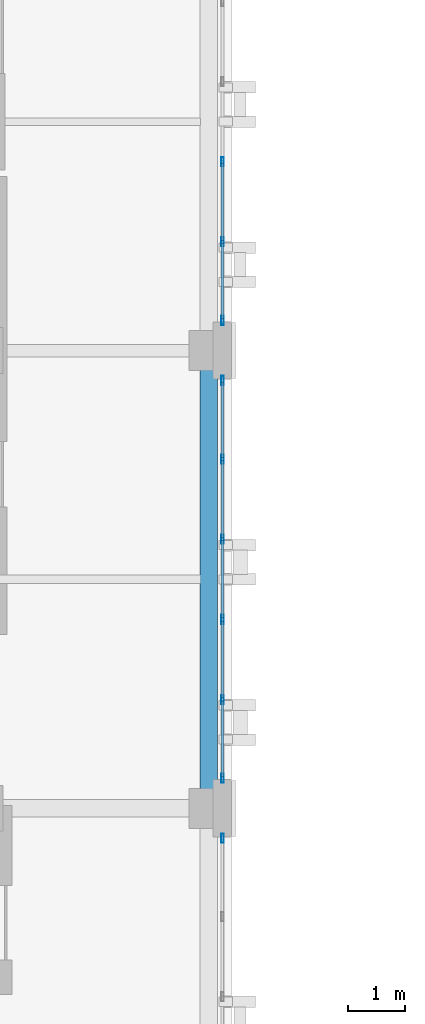
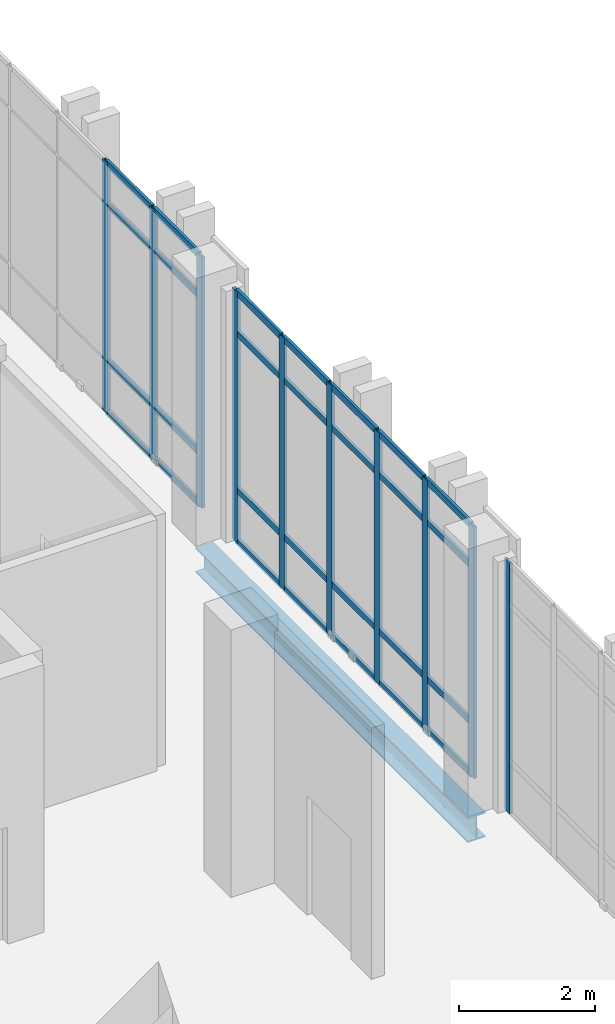
# One storey, part 29 of 189: 38 members, 1 beam, 3 elements without a shape of their own.
"""IFC4 building model written with IfcOpenShell, lengths in metres."""

from ifc_helpers import new_model, si_unit, direction, frame, origin, origin_2d, place, context, subcontext, project, spatial, hollow_rectangle, i_section, extrude, material, layer, layer_set, material_profile, profile_set, type_object, element, aggregate, save


model = new_model("IFC4")

# Units and contexts
model_context = context("Model", 3, precision=1e-05, world=origin(), true_north=direction((0.0, 1.0)))
body_context = subcontext(model_context, "Body", "Model", "MODEL_VIEW")
ifc_project = project(units=[si_unit("LENGTHUNIT", "METRE"), si_unit("AREAUNIT", "SQUARE_METRE"), si_unit("VOLUMEUNIT", "CUBIC_METRE"), si_unit("PLANEANGLEUNIT", "RADIAN"), si_unit("MASSUNIT", "GRAM", prefix="KILO")], contexts=[model_context])

# Site, building, storey
site_placement = place(None, origin())
site = spatial("IfcSite", under=ifc_project, at=site_placement, CompositionType="ELEMENT")
building_placement = place(site_placement, origin())
building = spatial("IfcBuilding", under=site, at=building_placement, Name="Qalavern Law Courts", CompositionType="ELEMENT")
storey_placement = place(building_placement, frame((0.0, 0.0, 5.39990234375)))
storey = spatial("IfcBuildingStorey", under=building, at=storey_placement, Name="L01", CompositionType="ELEMENT", Elevation=5.39990234375)

# Curtain wall, member
ifc_material_1 = material(Name="Anodised aluminium and insulated glazing", Category="aluminium")
ifc_layer = layer(ifc_material_1, 0.172119140625)
ifc_layer_set = layer_set([ifc_layer], Name="Anodised aluminium and insulated glazing")
curtain_wall_type = type_object("IfcCurtainWallType", Name="ENV-CW-COURT", PredefinedType="USERDEFINED", material=ifc_layer_set)
curtain_wall_1_placement = place(storey_placement, origin())
curtain_wall_1 = element("IfcCurtainWall", 1, at=curtain_wall_1_placement, inside=storey, type_object=curtain_wall_type, Name="V3 unitised curtain wall L01 east 1", ObjectType="UNITISED CURTAIN WALL", PredefinedType="USERDEFINED")
ifc_material_2 = material(Name="Anodised aluminium", Category="aluminium")
ifc_material_profile_1 = material_profile(ifc_material_2, hollow_rectangle(XDim=0.048095703125, YDim=0.159912109375, WallThickness=0.00390625, at=origin_2d()), Name="ALU MULLION 48x160")
ifc_profile_set_1 = profile_set([ifc_material_profile_1], Name="Anodised aluminium")
member_type_1 = type_object("IfcMemberType", Name="ENV-CWM-48x160", PredefinedType="MULLION", material=ifc_profile_set_1)
member_1_placement = place(storey_placement, frame((18.637451171875, 48.8759765625, 0.0), z_axis=(0.0, 0.0, 1.0), x_axis=(-1.0, 0.0, 0.0)))
member_1 = element("IfcMember", 2, at=member_1_placement, type_object=member_type_1, Name="CW-03 mullion 6", PredefinedType="MULLION", context=body_context, shape_type="SweptSolid", body=[
    extrude(hollow_rectangle(XDim=0.048095703125, YDim=0.159912109375, WallThickness=0.00390625, at=origin_2d()), origin(), (0.0, 0.0, 1.0), 4.510009765625),
])
aggregate(curtain_wall_1, [member_1])

# Curtain wall, members
curtain_wall_2_placement = place(storey_placement, origin())
curtain_wall_2 = element("IfcCurtainWall", 3, at=curtain_wall_2_placement, inside=storey, type_object=curtain_wall_type, Name="V3 unitised curtain wall L01 east 2", ObjectType="UNITISED CURTAIN WALL", PredefinedType="USERDEFINED")
member_2_placement = place(storey_placement, frame((18.637451171875, 49.924072265625, 0.0), z_axis=(0.0, 0.0, 1.0), x_axis=(-1.0, 0.0, 0.0)))
member_2 = element("IfcMember", 4, at=member_2_placement, type_object=member_type_1, Name="CW-03 mullion 1", PredefinedType="MULLION", context=body_context, shape_type="SweptSolid", body=[
    extrude(hollow_rectangle(XDim=0.048095703125, YDim=0.159912109375, WallThickness=0.00390625, at=origin_2d()), origin(), (0.0, 0.0, 1.0), 4.510009765625),
])
member_3_placement = place(storey_placement, frame((18.637451171875, 51.300048828125, 0.0), z_axis=(0.0, 0.0, 1.0), x_axis=(-1.0, 0.0, 0.0)))
member_3 = element("IfcMember", 5, at=member_3_placement, type_object=member_type_1, Name="CW-03 mullion 2", PredefinedType="MULLION", context=body_context, shape_type="SweptSolid", body=[
    extrude(hollow_rectangle(XDim=0.048095703125, YDim=0.159912109375, WallThickness=0.00390625, at=origin_2d()), origin(), (0.0, 0.0, 1.0), 4.510009765625),
])
member_4_placement = place(storey_placement, frame((18.637451171875, 52.699951171875, 0.0), z_axis=(0.0, 0.0, 1.0), x_axis=(-1.0, 0.0, 0.0)))
member_4 = element("IfcMember", 6, at=member_4_placement, type_object=member_type_1, Name="CW-03 mullion 3", PredefinedType="MULLION", context=body_context, shape_type="SweptSolid", body=[
    extrude(hollow_rectangle(XDim=0.048095703125, YDim=0.159912109375, WallThickness=0.00390625, at=origin_2d()), origin(), (0.0, 0.0, 1.0), 4.510009765625),
])
member_5_placement = place(storey_placement, frame((18.637451171875, 54.10009765625, 0.0), z_axis=(0.0, 0.0, 1.0), x_axis=(-1.0, 0.0, 0.0)))
member_5 = element("IfcMember", 7, at=member_5_placement, type_object=member_type_1, Name="CW-03 mullion 4", PredefinedType="MULLION", context=body_context, shape_type="SweptSolid", body=[
    extrude(hollow_rectangle(XDim=0.048095703125, YDim=0.159912109375, WallThickness=0.00390625, at=origin_2d()), origin(), (0.0, 0.0, 1.0), 4.510009765625),
])
member_6_placement = place(storey_placement, frame((18.637451171875, 55.5, 0.0), z_axis=(0.0, 0.0, 1.0), x_axis=(-1.0, 0.0, 0.0)))
member_6 = element("IfcMember", 8, at=member_6_placement, type_object=member_type_1, Name="CW-03 mullion 5", PredefinedType="MULLION", context=body_context, shape_type="SweptSolid", body=[
    extrude(hollow_rectangle(XDim=0.048095703125, YDim=0.159912109375, WallThickness=0.00390625, at=origin_2d()), origin(), (0.0, 0.0, 1.0), 4.510009765625),
])
member_7_placement = place(storey_placement, frame((18.637451171875, 56.8759765625, 0.0), z_axis=(0.0, 0.0, 1.0), x_axis=(-1.0, 0.0, 0.0)))
member_7 = element("IfcMember", 9, at=member_7_placement, type_object=member_type_1, Name="CW-03 mullion 6", PredefinedType="MULLION", context=body_context, shape_type="SweptSolid", body=[
    extrude(hollow_rectangle(XDim=0.048095703125, YDim=0.159912109375, WallThickness=0.00390625, at=origin_2d()), origin(), (0.0, 0.0, 1.0), 4.510009765625),
])

curtain_wall_3_placement = place(storey_placement, origin())
curtain_wall_3 = element("IfcCurtainWall", 10, at=curtain_wall_3_placement, inside=storey, type_object=curtain_wall_type, Name="V3 unitised curtain wall L01 east 3", ObjectType="UNITISED CURTAIN WALL", PredefinedType="USERDEFINED")
member_8_placement = place(storey_placement, frame((18.637451171875, 57.924072265625, 0.0), z_axis=(0.0, 0.0, 1.0), x_axis=(-1.0, 0.0, 0.0)))
member_8 = element("IfcMember", 11, at=member_8_placement, type_object=member_type_1, Name="CW-03 mullion 1", PredefinedType="MULLION", context=body_context, shape_type="SweptSolid", body=[
    extrude(hollow_rectangle(XDim=0.048095703125, YDim=0.159912109375, WallThickness=0.00390625, at=origin_2d()), origin(), (0.0, 0.0, 1.0), 4.510009765625),
])
member_9_placement = place(storey_placement, frame((18.637451171875, 59.300048828125, 0.0), z_axis=(0.0, 0.0, 1.0), x_axis=(-1.0, 0.0, 0.0)))
member_9 = element("IfcMember", 12, at=member_9_placement, type_object=member_type_1, Name="CW-03 mullion 2", PredefinedType="MULLION", context=body_context, shape_type="SweptSolid", body=[
    extrude(hollow_rectangle(XDim=0.048095703125, YDim=0.159912109375, WallThickness=0.00390625, at=origin_2d()), origin(), (0.0, 0.0, 1.0), 4.510009765625),
])
member_10_placement = place(storey_placement, frame((18.637451171875, 60.699951171875, 0.0), z_axis=(0.0, 0.0, 1.0), x_axis=(-1.0, 0.0, 0.0)))
member_10 = element("IfcMember", 13, at=member_10_placement, type_object=member_type_1, Name="CW-03 mullion 3", PredefinedType="MULLION", context=body_context, shape_type="SweptSolid", body=[
    extrude(hollow_rectangle(XDim=0.048095703125, YDim=0.159912109375, WallThickness=0.00390625, at=origin_2d()), origin(), (0.0, 0.0, 1.0), 4.510009765625),
])

# Member
ifc_material_profile_2 = material_profile(ifc_material_2, hollow_rectangle(XDim=0.048095703125, YDim=0.1201171875, WallThickness=0.00390625, at=origin_2d()), Name="ALU TRANSOM 48x120")
ifc_profile_set_2 = profile_set([ifc_material_profile_2], Name="Anodised aluminium")
member_type_2 = type_object("IfcMemberType", Name="ENV-CWT-48x120", PredefinedType="USERDEFINED", material=ifc_profile_set_2)
member_11_placement = place(storey_placement, frame((18.637451171875, 49.947998046875, 0.024169921875), z_axis=(0.0, 1.0, 0.0), x_axis=(-1.0, 0.0, 0.0)))
member_11 = element("IfcMember", 14, at=member_11_placement, type_object=member_type_2, Name="CW-03 transom 1.1", ObjectType="TRANSOM", PredefinedType="USERDEFINED", context=body_context, shape_type="SweptSolid", body=[
    extrude(hollow_rectangle(XDim=0.048095703125, YDim=0.1201171875, WallThickness=0.00390625, at=origin_2d()), origin(), (0.0, 0.0, 1.0), 1.327880859375),
])

member_12_placement = place(storey_placement, frame((18.637451171875, 49.947998046875, 0.9501953125), z_axis=(0.0, 1.0, 0.0), x_axis=(-1.0, 0.0, 0.0)))
member_12 = element("IfcMember", 15, at=member_12_placement, type_object=member_type_2, Name="CW-03 transom 1.2", ObjectType="TRANSOM", PredefinedType="USERDEFINED", context=body_context, shape_type="SweptSolid", body=[
    extrude(hollow_rectangle(XDim=0.048095703125, YDim=0.1201171875, WallThickness=0.00390625, at=origin_2d()), origin(), (0.0, 0.0, 1.0), 1.327880859375),
])

member_13_placement = place(storey_placement, frame((18.637451171875, 49.947998046875, 3.760009765625), z_axis=(0.0, 1.0, 0.0), x_axis=(-1.0, 0.0, 0.0)))
member_13 = element("IfcMember", 16, at=member_13_placement, type_object=member_type_2, Name="CW-03 transom 1.3", ObjectType="TRANSOM", PredefinedType="USERDEFINED", context=body_context, shape_type="SweptSolid", body=[
    extrude(hollow_rectangle(XDim=0.048095703125, YDim=0.1201171875, WallThickness=0.00390625, at=origin_2d()), origin(), (0.0, 0.0, 1.0), 1.327880859375),
])

member_14_placement = place(storey_placement, frame((18.637451171875, 49.947998046875, 4.486083984375), z_axis=(0.0, 1.0, 0.0), x_axis=(-1.0, 0.0, 0.0)))
member_14 = element("IfcMember", 17, at=member_14_placement, type_object=member_type_2, Name="CW-03 transom 1.4", ObjectType="TRANSOM", PredefinedType="USERDEFINED", context=body_context, shape_type="SweptSolid", body=[
    extrude(hollow_rectangle(XDim=0.048095703125, YDim=0.1201171875, WallThickness=0.00390625, at=origin_2d()), origin(), (0.0, 0.0, 1.0), 1.327880859375),
])

member_15_placement = place(storey_placement, frame((18.637451171875, 51.323974609375, 0.024169921875), z_axis=(0.0, 1.0, 0.0), x_axis=(-1.0, 0.0, 0.0)))
member_15 = element("IfcMember", 18, at=member_15_placement, type_object=member_type_2, Name="CW-03 transom 2.1", ObjectType="TRANSOM", PredefinedType="USERDEFINED", context=body_context, shape_type="SweptSolid", body=[
    extrude(hollow_rectangle(XDim=0.048095703125, YDim=0.1201171875, WallThickness=0.00390625, at=origin_2d()), origin(), (0.0, 0.0, 1.0), 1.35205078125),
])

member_16_placement = place(storey_placement, frame((18.637451171875, 51.323974609375, 0.9501953125), z_axis=(0.0, 1.0, 0.0), x_axis=(-1.0, 0.0, 0.0)))
member_16 = element("IfcMember", 19, at=member_16_placement, type_object=member_type_2, Name="CW-03 transom 2.2", ObjectType="TRANSOM", PredefinedType="USERDEFINED", context=body_context, shape_type="SweptSolid", body=[
    extrude(hollow_rectangle(XDim=0.048095703125, YDim=0.1201171875, WallThickness=0.00390625, at=origin_2d()), origin(), (0.0, 0.0, 1.0), 1.35205078125),
])

member_17_placement = place(storey_placement, frame((18.637451171875, 51.323974609375, 3.760009765625), z_axis=(0.0, 1.0, 0.0), x_axis=(-1.0, 0.0, 0.0)))
member_17 = element("IfcMember", 20, at=member_17_placement, type_object=member_type_2, Name="CW-03 transom 2.3", ObjectType="TRANSOM", PredefinedType="USERDEFINED", context=body_context, shape_type="SweptSolid", body=[
    extrude(hollow_rectangle(XDim=0.048095703125, YDim=0.1201171875, WallThickness=0.00390625, at=origin_2d()), origin(), (0.0, 0.0, 1.0), 1.35205078125),
])

member_18_placement = place(storey_placement, frame((18.637451171875, 51.323974609375, 4.486083984375), z_axis=(0.0, 1.0, 0.0), x_axis=(-1.0, 0.0, 0.0)))
member_18 = element("IfcMember", 21, at=member_18_placement, type_object=member_type_2, Name="CW-03 transom 2.4", ObjectType="TRANSOM", PredefinedType="USERDEFINED", context=body_context, shape_type="SweptSolid", body=[
    extrude(hollow_rectangle(XDim=0.048095703125, YDim=0.1201171875, WallThickness=0.00390625, at=origin_2d()), origin(), (0.0, 0.0, 1.0), 1.35205078125),
])

member_19_placement = place(storey_placement, frame((18.637451171875, 52.72412109375, 0.024169921875), z_axis=(0.0, 1.0, 0.0), x_axis=(-1.0, 0.0, 0.0)))
member_19 = element("IfcMember", 22, at=member_19_placement, type_object=member_type_2, Name="CW-03 transom 3.1", ObjectType="TRANSOM", PredefinedType="USERDEFINED", context=body_context, shape_type="SweptSolid", body=[
    extrude(hollow_rectangle(XDim=0.048095703125, YDim=0.1201171875, WallThickness=0.00390625, at=origin_2d()), origin(), (0.0, 0.0, 1.0), 1.351806640625),
])

member_20_placement = place(storey_placement, frame((18.637451171875, 52.72412109375, 0.9501953125), z_axis=(0.0, 1.0, 0.0), x_axis=(-1.0, 0.0, 0.0)))
member_20 = element("IfcMember", 23, at=member_20_placement, type_object=member_type_2, Name="CW-03 transom 3.2", ObjectType="TRANSOM", PredefinedType="USERDEFINED", context=body_context, shape_type="SweptSolid", body=[
    extrude(hollow_rectangle(XDim=0.048095703125, YDim=0.1201171875, WallThickness=0.00390625, at=origin_2d()), origin(), (0.0, 0.0, 1.0), 1.351806640625),
])

member_21_placement = place(storey_placement, frame((18.637451171875, 52.72412109375, 3.760009765625), z_axis=(0.0, 1.0, 0.0), x_axis=(-1.0, 0.0, 0.0)))
member_21 = element("IfcMember", 24, at=member_21_placement, type_object=member_type_2, Name="CW-03 transom 3.3", ObjectType="TRANSOM", PredefinedType="USERDEFINED", context=body_context, shape_type="SweptSolid", body=[
    extrude(hollow_rectangle(XDim=0.048095703125, YDim=0.1201171875, WallThickness=0.00390625, at=origin_2d()), origin(), (0.0, 0.0, 1.0), 1.351806640625),
])

member_22_placement = place(storey_placement, frame((18.637451171875, 52.72412109375, 4.486083984375), z_axis=(0.0, 1.0, 0.0), x_axis=(-1.0, 0.0, 0.0)))
member_22 = element("IfcMember", 25, at=member_22_placement, type_object=member_type_2, Name="CW-03 transom 3.4", ObjectType="TRANSOM", PredefinedType="USERDEFINED", context=body_context, shape_type="SweptSolid", body=[
    extrude(hollow_rectangle(XDim=0.048095703125, YDim=0.1201171875, WallThickness=0.00390625, at=origin_2d()), origin(), (0.0, 0.0, 1.0), 1.351806640625),
])

member_23_placement = place(storey_placement, frame((18.637451171875, 54.1240234375, 0.024169921875), z_axis=(0.0, 1.0, 0.0), x_axis=(-1.0, 0.0, 0.0)))
member_23 = element("IfcMember", 26, at=member_23_placement, type_object=member_type_2, Name="CW-03 transom 4.1", ObjectType="TRANSOM", PredefinedType="USERDEFINED", context=body_context, shape_type="SweptSolid", body=[
    extrude(hollow_rectangle(XDim=0.048095703125, YDim=0.1201171875, WallThickness=0.00390625, at=origin_2d()), origin(), (0.0, 0.0, 1.0), 1.35205078125),
])

member_24_placement = place(storey_placement, frame((18.637451171875, 54.1240234375, 0.9501953125), z_axis=(0.0, 1.0, 0.0), x_axis=(-1.0, 0.0, 0.0)))
member_24 = element("IfcMember", 27, at=member_24_placement, type_object=member_type_2, Name="CW-03 transom 4.2", ObjectType="TRANSOM", PredefinedType="USERDEFINED", context=body_context, shape_type="SweptSolid", body=[
    extrude(hollow_rectangle(XDim=0.048095703125, YDim=0.1201171875, WallThickness=0.00390625, at=origin_2d()), origin(), (0.0, 0.0, 1.0), 1.35205078125),
])

member_25_placement = place(storey_placement, frame((18.637451171875, 54.1240234375, 3.760009765625), z_axis=(0.0, 1.0, 0.0), x_axis=(-1.0, 0.0, 0.0)))
member_25 = element("IfcMember", 28, at=member_25_placement, type_object=member_type_2, Name="CW-03 transom 4.3", ObjectType="TRANSOM", PredefinedType="USERDEFINED", context=body_context, shape_type="SweptSolid", body=[
    extrude(hollow_rectangle(XDim=0.048095703125, YDim=0.1201171875, WallThickness=0.00390625, at=origin_2d()), origin(), (0.0, 0.0, 1.0), 1.35205078125),
])

member_26_placement = place(storey_placement, frame((18.637451171875, 54.1240234375, 4.486083984375), z_axis=(0.0, 1.0, 0.0), x_axis=(-1.0, 0.0, 0.0)))
member_26 = element("IfcMember", 29, at=member_26_placement, type_object=member_type_2, Name="CW-03 transom 4.4", ObjectType="TRANSOM", PredefinedType="USERDEFINED", context=body_context, shape_type="SweptSolid", body=[
    extrude(hollow_rectangle(XDim=0.048095703125, YDim=0.1201171875, WallThickness=0.00390625, at=origin_2d()), origin(), (0.0, 0.0, 1.0), 1.35205078125),
])

member_27_placement = place(storey_placement, frame((18.637451171875, 55.52392578125, 0.024169921875), z_axis=(0.0, 1.0, 0.0), x_axis=(-1.0, 0.0, 0.0)))
member_27 = element("IfcMember", 30, at=member_27_placement, type_object=member_type_2, Name="CW-03 transom 5.1", ObjectType="TRANSOM", PredefinedType="USERDEFINED", context=body_context, shape_type="SweptSolid", body=[
    extrude(hollow_rectangle(XDim=0.048095703125, YDim=0.1201171875, WallThickness=0.00390625, at=origin_2d()), origin(), (0.0, 0.0, 1.0), 1.328125),
])

member_28_placement = place(storey_placement, frame((18.637451171875, 55.52392578125, 0.9501953125), z_axis=(0.0, 1.0, 0.0), x_axis=(-1.0, 0.0, 0.0)))
member_28 = element("IfcMember", 31, at=member_28_placement, type_object=member_type_2, Name="CW-03 transom 5.2", ObjectType="TRANSOM", PredefinedType="USERDEFINED", context=body_context, shape_type="SweptSolid", body=[
    extrude(hollow_rectangle(XDim=0.048095703125, YDim=0.1201171875, WallThickness=0.00390625, at=origin_2d()), origin(), (0.0, 0.0, 1.0), 1.328125),
])

member_29_placement = place(storey_placement, frame((18.637451171875, 55.52392578125, 3.760009765625), z_axis=(0.0, 1.0, 0.0), x_axis=(-1.0, 0.0, 0.0)))
member_29 = element("IfcMember", 32, at=member_29_placement, type_object=member_type_2, Name="CW-03 transom 5.3", ObjectType="TRANSOM", PredefinedType="USERDEFINED", context=body_context, shape_type="SweptSolid", body=[
    extrude(hollow_rectangle(XDim=0.048095703125, YDim=0.1201171875, WallThickness=0.00390625, at=origin_2d()), origin(), (0.0, 0.0, 1.0), 1.328125),
])

member_30_placement = place(storey_placement, frame((18.637451171875, 55.52392578125, 4.486083984375), z_axis=(0.0, 1.0, 0.0), x_axis=(-1.0, 0.0, 0.0)))
member_30 = element("IfcMember", 33, at=member_30_placement, type_object=member_type_2, Name="CW-03 transom 5.4", ObjectType="TRANSOM", PredefinedType="USERDEFINED", context=body_context, shape_type="SweptSolid", body=[
    extrude(hollow_rectangle(XDim=0.048095703125, YDim=0.1201171875, WallThickness=0.00390625, at=origin_2d()), origin(), (0.0, 0.0, 1.0), 1.328125),
])

aggregate(curtain_wall_2, [member_2, member_3, member_4, member_5, member_6, member_7, member_11, member_12, member_13, member_14, member_15, member_16, member_17, member_18, member_19, member_20, member_21, member_22, member_23, member_24, member_25, member_26, member_27, member_28, member_29, member_30])

member_31_placement = place(storey_placement, frame((18.637451171875, 57.947998046875, 0.024169921875), z_axis=(0.0, 1.0, 0.0), x_axis=(-1.0, 0.0, 0.0)))
member_31 = element("IfcMember", 34, at=member_31_placement, type_object=member_type_2, Name="CW-03 transom 1.1", ObjectType="TRANSOM", PredefinedType="USERDEFINED", context=body_context, shape_type="SweptSolid", body=[
    extrude(hollow_rectangle(XDim=0.048095703125, YDim=0.1201171875, WallThickness=0.00390625, at=origin_2d()), origin(), (0.0, 0.0, 1.0), 1.327880859375),
])

member_32_placement = place(storey_placement, frame((18.637451171875, 57.947998046875, 0.9501953125), z_axis=(0.0, 1.0, 0.0), x_axis=(-1.0, 0.0, 0.0)))
member_32 = element("IfcMember", 35, at=member_32_placement, type_object=member_type_2, Name="CW-03 transom 1.2", ObjectType="TRANSOM", PredefinedType="USERDEFINED", context=body_context, shape_type="SweptSolid", body=[
    extrude(hollow_rectangle(XDim=0.048095703125, YDim=0.1201171875, WallThickness=0.00390625, at=origin_2d()), origin(), (0.0, 0.0, 1.0), 1.327880859375),
])

member_33_placement = place(storey_placement, frame((18.637451171875, 57.947998046875, 3.760009765625), z_axis=(0.0, 1.0, 0.0), x_axis=(-1.0, 0.0, 0.0)))
member_33 = element("IfcMember", 36, at=member_33_placement, type_object=member_type_2, Name="CW-03 transom 1.3", ObjectType="TRANSOM", PredefinedType="USERDEFINED", context=body_context, shape_type="SweptSolid", body=[
    extrude(hollow_rectangle(XDim=0.048095703125, YDim=0.1201171875, WallThickness=0.00390625, at=origin_2d()), origin(), (0.0, 0.0, 1.0), 1.327880859375),
])

member_34_placement = place(storey_placement, frame((18.637451171875, 57.947998046875, 4.486083984375), z_axis=(0.0, 1.0, 0.0), x_axis=(-1.0, 0.0, 0.0)))
member_34 = element("IfcMember", 37, at=member_34_placement, type_object=member_type_2, Name="CW-03 transom 1.4", ObjectType="TRANSOM", PredefinedType="USERDEFINED", context=body_context, shape_type="SweptSolid", body=[
    extrude(hollow_rectangle(XDim=0.048095703125, YDim=0.1201171875, WallThickness=0.00390625, at=origin_2d()), origin(), (0.0, 0.0, 1.0), 1.327880859375),
])

member_35_placement = place(storey_placement, frame((18.637451171875, 59.323974609375, 0.024169921875), z_axis=(0.0, 1.0, 0.0), x_axis=(-1.0, 0.0, 0.0)))
member_35 = element("IfcMember", 38, at=member_35_placement, type_object=member_type_2, Name="CW-03 transom 2.1", ObjectType="TRANSOM", PredefinedType="USERDEFINED", context=body_context, shape_type="SweptSolid", body=[
    extrude(hollow_rectangle(XDim=0.048095703125, YDim=0.1201171875, WallThickness=0.00390625, at=origin_2d()), origin(), (0.0, 0.0, 1.0), 1.35205078125),
])

member_36_placement = place(storey_placement, frame((18.637451171875, 59.323974609375, 0.9501953125), z_axis=(0.0, 1.0, 0.0), x_axis=(-1.0, 0.0, 0.0)))
member_36 = element("IfcMember", 39, at=member_36_placement, type_object=member_type_2, Name="CW-03 transom 2.2", ObjectType="TRANSOM", PredefinedType="USERDEFINED", context=body_context, shape_type="SweptSolid", body=[
    extrude(hollow_rectangle(XDim=0.048095703125, YDim=0.1201171875, WallThickness=0.00390625, at=origin_2d()), origin(), (0.0, 0.0, 1.0), 1.35205078125),
])

member_37_placement = place(storey_placement, frame((18.637451171875, 59.323974609375, 3.760009765625), z_axis=(0.0, 1.0, 0.0), x_axis=(-1.0, 0.0, 0.0)))
member_37 = element("IfcMember", 40, at=member_37_placement, type_object=member_type_2, Name="CW-03 transom 2.3", ObjectType="TRANSOM", PredefinedType="USERDEFINED", context=body_context, shape_type="SweptSolid", body=[
    extrude(hollow_rectangle(XDim=0.048095703125, YDim=0.1201171875, WallThickness=0.00390625, at=origin_2d()), origin(), (0.0, 0.0, 1.0), 1.35205078125),
])

member_38_placement = place(storey_placement, frame((18.637451171875, 59.323974609375, 4.486083984375), z_axis=(0.0, 1.0, 0.0), x_axis=(-1.0, 0.0, 0.0)))
member_38 = element("IfcMember", 41, at=member_38_placement, type_object=member_type_2, Name="CW-03 transom 2.4", ObjectType="TRANSOM", PredefinedType="USERDEFINED", context=body_context, shape_type="SweptSolid", body=[
    extrude(hollow_rectangle(XDim=0.048095703125, YDim=0.1201171875, WallThickness=0.00390625, at=origin_2d()), origin(), (0.0, 0.0, 1.0), 1.35205078125),
])

aggregate(curtain_wall_3, [member_8, member_9, member_10, member_31, member_32, member_33, member_34, member_35, member_36, member_37, member_38])

# Beam
ifc_material_3 = material(Name="Steel S355", Category="steel")
ifc_material_profile_3 = material_profile(ifc_material_3, i_section(OverallWidth=0.300048828125, OverallDepth=0.449951171875, WebThickness=0.013916015625, FlangeThickness=0.02587890625, FilletRadius=0.027099609375, at=origin_2d()), Name="HEB 450")
ifc_profile_set_3 = profile_set([ifc_material_profile_3], Name="Steel S355")
beam_type = type_object("IfcBeamType", Name="STR-SP-HEB450", PredefinedType="SPANDREL", material=ifc_profile_set_3)
beam_placement = place(storey_placement, frame((18.39990234375, 49.39990234375, -0.52490234375), z_axis=(0.0, 1.0, 0.0), x_axis=(-1.0, 0.0, 0.0)))
element("IfcBeam", 42, at=beam_placement, inside=storey, type_object=beam_type, Name="V3 Y-beam 3-2 L01", PredefinedType="SPANDREL", context=body_context, shape_type="SweptSolid", body=[
    extrude(i_section(OverallWidth=0.300048828125, OverallDepth=0.449951171875, WebThickness=0.013916015625, FlangeThickness=0.02587890625, FilletRadius=0.027099609375, at=origin_2d()), origin(), (0.0, 0.0, 1.0), 8.0),
])

save(model, "model.ifc")
